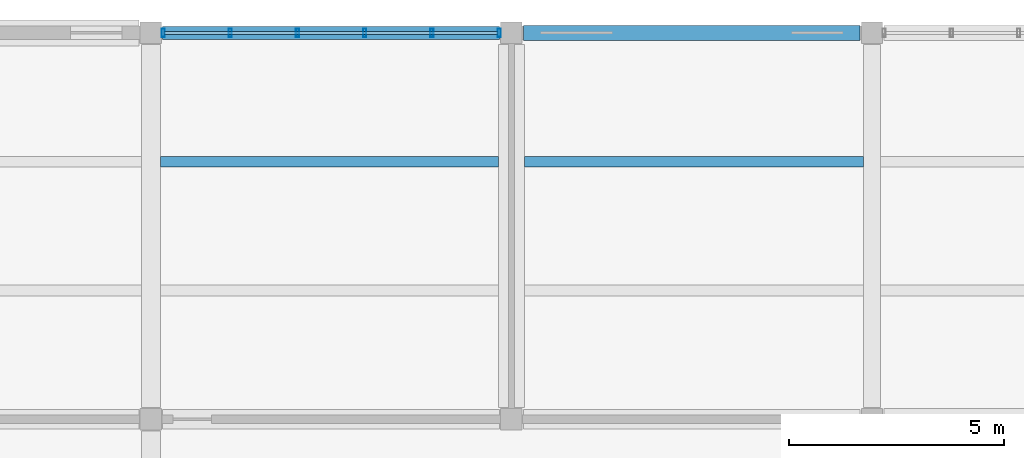
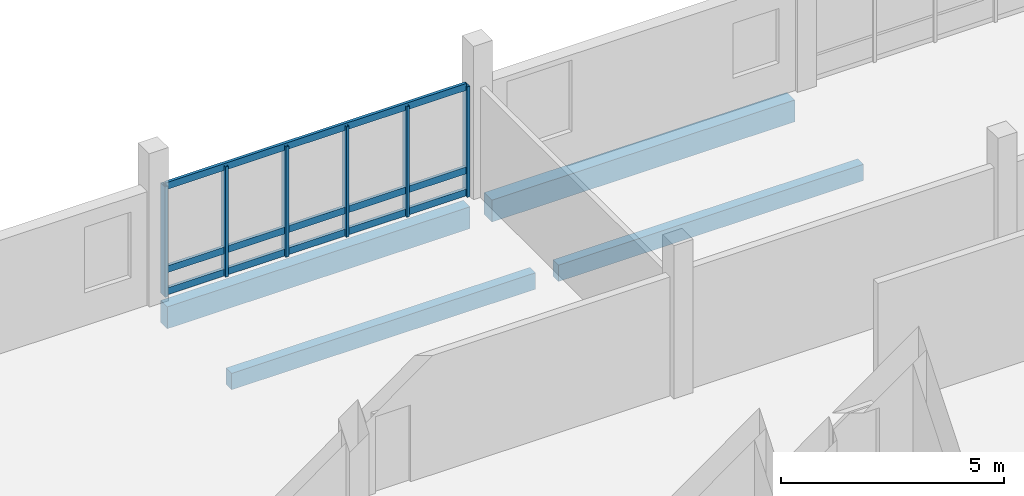
# One storey, part 41 of 107: 9 members, 4 beams, 1 element without a shape of its own.
"""IFC4 building model written with IfcOpenShell, lengths in metres."""

import ifcopenshell
import ifcopenshell.guid

model = None  # the IFC model being written
_history = None  # IfcOwnerHistory: only IFC2X3 demands one
_inside = {}  # id of a spatial element -> (the spatial element, [elements in it])
_under = {}  # id of a project, library or spatial element -> (it, [spatial elements below it])
_declared = {}  # id of a project -> (the project, [libraries it declares])
_typed = {}  # id of a type object -> (the type object, [elements of that type])
_made_of = {}  # id of a material, layer set ... -> (it, [elements and type objects made of it])


def new_model(schema):
    """Start an empty IFC model of exactly this schema.

    Asked for "IFC4X3", IfcOpenShell would pick the latest addendum, in which some entities
    have other attributes; the version numbers below select the first issue.
    IFC2X3 requires an IfcOwnerHistory on every rooted entity: one is made here for all.
    """
    global model, _history
    if schema == "IFC4X3":
        model = ifcopenshell.file(schema_version=(4, 3, 0, 0))
    else:
        model = ifcopenshell.file(schema=schema)
    _inside.clear()
    _under.clear()
    _declared.clear()
    _typed.clear()
    _made_of.clear()
    _history = None
    if model.schema == "IFC2X3":
        org = make("IfcOrganization", Name="unknown")
        user = make(
            "IfcPersonAndOrganization",
            ThePerson=make("IfcPerson", FamilyName="unknown"),
            TheOrganization=org,
        )
        app = make(
            "IfcApplication",
            ApplicationDeveloper=org,
            Version="unknown",
            ApplicationFullName="unknown",
            ApplicationIdentifier="unknown",
        )
        _history = make(
            "IfcOwnerHistory",
            OwningUser=user,
            OwningApplication=app,
            ChangeAction="ADDED",
            CreationDate=0,
        )
    return model


def make(cls, **values):
    """One entity of the class cls with the attributes given. An attribute that is None is left unset."""
    return model.create_entity(
        cls, **{name: value for name, value in values.items() if value is not None}
    )


def rooted(cls, **values):
    """An entity with a GlobalId (a new one), such as an element, a storey or a relation."""
    return make(cls, GlobalId=ifcopenshell.guid.new(), OwnerHistory=_history, **values)


def si_unit(unit_type, name, prefix=None):
    """IfcSIUnit, for example si_unit("LENGTHUNIT", "METRE", prefix="MILLI")."""
    return make("IfcSIUnit", UnitType=unit_type, Prefix=prefix, Name=name)


def assignment(units):
    """IfcUnitAssignment: the units of a project."""
    return None if units is None else make("IfcUnitAssignment", Units=units)


def point(xyz):
    """IfcCartesianPoint."""
    return None if xyz is None else make("IfcCartesianPoint", Coordinates=xyz)


def direction(xyz):
    """IfcDirection."""
    return None if xyz is None else make("IfcDirection", DirectionRatios=xyz)


def frame(location, z_axis=None, x_axis=None):
    """IfcAxis2Placement3D, a coordinate frame: its origin and axes. An axis left out is left unset."""
    return make(
        "IfcAxis2Placement3D",
        Location=point(location),
        Axis=direction(z_axis),
        RefDirection=direction(x_axis),
    )


def frame_2d(location, x_axis=None):
    """IfcAxis2Placement2D, a coordinate frame in the plane: its origin and x axis."""
    return make(
        "IfcAxis2Placement2D", Location=point(location), RefDirection=direction(x_axis)
    )


def origin():
    """The frame at (0, 0, 0) with its axes left unset."""
    return frame((0.0, 0.0, 0.0))


def origin_2d():
    """The frame at (0, 0) in the plane with its x axis left unset."""
    return frame_2d((0.0, 0.0))


def place(relative_to, where):
    """IfcLocalPlacement: puts the frame where relative to a parent placement (None: the world)."""
    return make(
        "IfcLocalPlacement", PlacementRelTo=relative_to, RelativePlacement=where
    )


def context(
    kind, dimensions, precision=None, world=None, true_north=None, identifier=None
):
    """IfcGeometricRepresentationContext, for example the 3D "Model" context."""
    return make(
        "IfcGeometricRepresentationContext",
        ContextIdentifier=identifier,
        ContextType=kind,
        CoordinateSpaceDimension=dimensions,
        Precision=precision,
        WorldCoordinateSystem=world,
        TrueNorth=true_north,
    )


def subcontext(parent, identifier, kind, view, scale=None):
    """IfcGeometricRepresentationSubContext, for example "Body" below "Model"."""
    return make(
        "IfcGeometricRepresentationSubContext",
        ContextIdentifier=identifier,
        ContextType=kind,
        ParentContext=parent,
        TargetScale=scale,
        TargetView=view,
    )


def project(units=None, contexts=None):
    """IfcProject with its units and contexts."""
    return rooted(
        "IfcProject",
        Name="project",
        RepresentationContexts=contexts,
        UnitsInContext=assignment(units),
    )


def spatial(cls, under=None, at=None, **own):
    """A site, building, storey or space (cls), placed at a placement, below another one or the project."""
    s = rooted(cls, ObjectPlacement=at, **own)
    if under is not None:
        _under.setdefault(under.id(), (under, []))[1].append(s)
    return s


def profile(cls, at=None, kind="AREA", **sizes):
    """A parametric profile (cls). Its sizes go by their IFC names, for example OverallWidth=200.0."""
    return make(cls, ProfileType=kind, Position=at, **sizes)


def rectangle(**sizes):
    """IfcRectangleProfileDef."""
    return profile("IfcRectangleProfileDef", **sizes)


def hollow_rectangle(**sizes):
    """IfcRectangleHollowProfileDef."""
    return profile("IfcRectangleHollowProfileDef", **sizes)


def extrude(swept, where, along, depth):
    """IfcExtrudedAreaSolid: the profile swept, set in the frame where, extruded along a direction by depth."""
    return make(
        "IfcExtrudedAreaSolid",
        SweptArea=swept,
        Position=where,
        ExtrudedDirection=direction(along),
        Depth=depth,
    )


def shape(context_of_items, identifier, shape_type, items):
    """IfcShapeRepresentation: the items that make up one representation, for example the "Body"."""
    return make(
        "IfcShapeRepresentation",
        ContextOfItems=context_of_items,
        RepresentationIdentifier=identifier,
        RepresentationType=shape_type,
        Items=items,
    )


def material(Name=None, Category=None):
    """IfcMaterial."""
    return make("IfcMaterial", Name=Name, Category=Category)


def layer(
    of_material, thickness, ventilated=None, Name=None, Category=None, Priority=None
):
    """IfcMaterialLayer: one layer of a wall or slab, of a material (None: an air gap)."""
    return make(
        "IfcMaterialLayer",
        Material=of_material,
        LayerThickness=thickness,
        IsVentilated=ventilated,
        Name=Name,
        Category=Category,
        Priority=Priority,
    )


def layer_set(layers, Name=None):
    """IfcMaterialLayerSet."""
    return make("IfcMaterialLayerSet", MaterialLayers=layers, LayerSetName=Name)


def material_profile(
    of_material, cross_section, Name=None, Category=None, Priority=None
):
    """IfcMaterialProfile: a cross section and its material."""
    return make(
        "IfcMaterialProfile",
        Name=Name,
        Material=of_material,
        Profile=cross_section,
        Priority=Priority,
        Category=Category,
    )


def profile_set(profiles, Name=None, composite=None):
    """IfcMaterialProfileSet."""
    return make(
        "IfcMaterialProfileSet",
        Name=Name,
        MaterialProfiles=profiles,
        CompositeProfile=composite,
    )


def made_of(thing, what):
    """Note that an element or type object is made of a material, layer set ...; save() writes the relation."""
    if what is not None:
        _made_of.setdefault(what.id(), (what, []))[1].append(thing)
    return thing


def type_object(cls, material=None, **own):
    """A type object (cls), such as IfcWallType, which elements share."""
    return made_of(rooted(cls, **own), material)


def element(
    cls,
    number,
    at=None,
    inside=None,
    cuts=None,
    type_object=None,
    material=None,
    context=None,
    identifier="Body",
    shape_type=None,
    held_by="IfcProductDefinitionShape",
    body=None,
    shapes=None,
    **own,
):
    """One element of the class cls, such as IfcWall. Its Tag is "e" and its number.

    at: its placement. inside: the storey or other place that contains it. cuts: it is an
    opening in that element (IfcRelVoidsElement). A single representation is given by context,
    identifier, shape_type and body (its items); several are given by shapes. held_by: the class
    of the entity that holds the representations. save() writes the other relations.
    """
    e = rooted(cls, Tag="e%d" % number, ObjectPlacement=at, **own)
    if body is not None:
        shapes = [shape(context, identifier, shape_type, body)]
    if shapes is not None:
        e.Representation = make(held_by, Representations=shapes)
    if inside is not None:
        _inside.setdefault(inside.id(), (inside, []))[1].append(e)
    if cuts is not None:
        rooted(
            "IfcRelVoidsElement", RelatingBuildingElement=cuts, RelatedOpeningElement=e
        )
    if type_object is not None:
        _typed.setdefault(type_object.id(), (type_object, []))[1].append(e)
    return made_of(e, material)


def aggregate(whole, parts):
    """IfcRelAggregates: a whole, such as a stair, and the parts it consists of."""
    return rooted("IfcRelAggregates", RelatingObject=whole, RelatedObjects=parts)


def save(model, path):
    """Write the relations noted so far, then the file.

    IfcRelAggregates (storeys below a building ...), IfcRelContainedInSpatialStructure (elements
    in a storey), IfcRelDefinesByType, IfcRelAssociatesMaterial and IfcRelDeclares: one each for
    every whole, place, type object, material and project.
    """
    for whole, parts in _under.values():
        aggregate(whole, parts)
    for where, things in _inside.values():
        rooted(
            "IfcRelContainedInSpatialStructure",
            RelatedElements=things,
            RelatingStructure=where,
        )
    for kind, things in _typed.values():
        rooted("IfcRelDefinesByType", RelatedObjects=things, RelatingType=kind)
    for what, things in _made_of.values():
        rooted("IfcRelAssociatesMaterial", RelatedObjects=things, RelatingMaterial=what)
    for by, libraries in _declared.values():
        rooted("IfcRelDeclares", RelatingContext=by, RelatedDefinitions=libraries)
    model.write(path)


model = new_model("IFC4")

# Units and contexts
model_context = context("Model", 3, precision=1e-05, world=origin(), true_north=direction((0.0, 1.0)))
body_context = subcontext(model_context, "Body", "Model", "MODEL_VIEW")
ifc_project = project(units=[si_unit("LENGTHUNIT", "METRE"), si_unit("AREAUNIT", "SQUARE_METRE"), si_unit("VOLUMEUNIT", "CUBIC_METRE"), si_unit("PLANEANGLEUNIT", "RADIAN"), si_unit("MASSUNIT", "GRAM", prefix="KILO")], contexts=[model_context])

# Site, building, storey
site_placement = place(None, origin())
site = spatial("IfcSite", under=ifc_project, at=site_placement, CompositionType="ELEMENT")
building_placement = place(site_placement, origin())
building = spatial("IfcBuilding", under=site, at=building_placement, Name="Vireocrest Preparatory School", CompositionType="ELEMENT")
storey_placement = place(building_placement, frame((0.0, 0.0, 13.199951171875)))
storey = spatial("IfcBuildingStorey", under=building, at=storey_placement, Name="L03", CompositionType="ELEMENT", Elevation=13.199951171875)

# Curtain wall, members
ifc_material_1 = material(Name="Thermally broken aluminium EN AW-6063-T6", Category="aluminium")
ifc_layer = layer(ifc_material_1, 0.179931640625)
ifc_layer_set = layer_set([ifc_layer], Name="Thermally broken aluminium EN AW-6063-T6")
curtain_wall_type = type_object("IfcCurtainWallType", Name="North Street Curtain Wall 8400x4000", PredefinedType="USERDEFINED", material=ifc_layer_set)
curtain_wall_placement = place(storey_placement, origin())
curtain_wall = element("IfcCurtainWall", 1, at=curtain_wall_placement, inside=storey, type_object=curtain_wall_type, Name="Curtain Wall CW05 CW_L03_CW05_0506_1128_132", ObjectType="CURTAIN WALL", PredefinedType="USERDEFINED")
ifc_material_profile_1 = material_profile(ifc_material_1, hollow_rectangle(XDim=0.074951171875, YDim=0.199951171875, WallThickness=0.0048828125, at=origin_2d()), Name="ALU 75x200x5")
ifc_profile_set_1 = profile_set([ifc_material_profile_1], Name="Thermally broken aluminium EN AW-6063-T6")
member_type_1 = type_object("IfcMemberType", Name="CW Mullion 75x200x5", PredefinedType="MULLION", material=ifc_profile_set_1)
member_1_placement = place(storey_placement, frame((50.68505859375, 112.800048828125, 0.0), z_axis=(0.0, 0.0, 1.0), x_axis=(1.0, 0.0, 0.0)))
member_1 = element("IfcMember", 2, at=member_1_placement, type_object=member_type_1, Name="CW Mullion ML3 CW_L03_CW05_0506_1128_132-1", PredefinedType="MULLION", context=body_context, shape_type="SweptSolid", body=[
    extrude(hollow_rectangle(XDim=0.074951171875, YDim=0.199951171875, WallThickness=0.0048828125, at=origin_2d()), origin(), (0.0, 0.0, 1.0), 3.025146484375),
])
member_2_placement = place(storey_placement, frame((52.2509765625, 112.800048828125, 0.0), z_axis=(0.0, 0.0, 1.0), x_axis=(1.0, 0.0, 0.0)))
member_2 = element("IfcMember", 3, at=member_2_placement, type_object=member_type_1, Name="CW Mullion ML3 CW_L03_CW05_0506_1128_132-2", PredefinedType="MULLION", context=body_context, shape_type="SweptSolid", body=[
    extrude(hollow_rectangle(XDim=0.074951171875, YDim=0.199951171875, WallThickness=0.0048828125, at=origin_2d()), origin(), (0.0, 0.0, 1.0), 3.025146484375),
])
member_3_placement = place(storey_placement, frame((53.81689453125, 112.800048828125, 0.0), z_axis=(0.0, 0.0, 1.0), x_axis=(1.0, 0.0, 0.0)))
member_3 = element("IfcMember", 4, at=member_3_placement, type_object=member_type_1, Name="CW Mullion ML3 CW_L03_CW05_0506_1128_132-3", PredefinedType="MULLION", context=body_context, shape_type="SweptSolid", body=[
    extrude(hollow_rectangle(XDim=0.074951171875, YDim=0.199951171875, WallThickness=0.0048828125, at=origin_2d()), origin(), (0.0, 0.0, 1.0), 3.025146484375),
])
member_4_placement = place(storey_placement, frame((55.383056640625, 112.800048828125, 0.0), z_axis=(0.0, 0.0, 1.0), x_axis=(1.0, 0.0, 0.0)))
member_4 = element("IfcMember", 5, at=member_4_placement, type_object=member_type_1, Name="CW Mullion ML3 CW_L03_CW05_0506_1128_132-4", PredefinedType="MULLION", context=body_context, shape_type="SweptSolid", body=[
    extrude(hollow_rectangle(XDim=0.074951171875, YDim=0.199951171875, WallThickness=0.0048828125, at=origin_2d()), origin(), (0.0, 0.0, 1.0), 3.025146484375),
])
member_5_placement = place(storey_placement, frame((56.948974609375, 112.800048828125, 0.0), z_axis=(0.0, 0.0, 1.0), x_axis=(1.0, 0.0, 0.0)))
member_5 = element("IfcMember", 6, at=member_5_placement, type_object=member_type_1, Name="CW Mullion ML3 CW_L03_CW05_0506_1128_132-5", PredefinedType="MULLION", context=body_context, shape_type="SweptSolid", body=[
    extrude(hollow_rectangle(XDim=0.074951171875, YDim=0.199951171875, WallThickness=0.0048828125, at=origin_2d()), origin(), (0.0, 0.0, 1.0), 3.025146484375),
])
member_6_placement = place(storey_placement, frame((58.514892578125, 112.800048828125, 0.0), z_axis=(0.0, 0.0, 1.0), x_axis=(1.0, 0.0, 0.0)))
member_6 = element("IfcMember", 7, at=member_6_placement, type_object=member_type_1, Name="CW Mullion ML3 CW_L03_CW05_0506_1128_132-6", PredefinedType="MULLION", context=body_context, shape_type="SweptSolid", body=[
    extrude(hollow_rectangle(XDim=0.074951171875, YDim=0.199951171875, WallThickness=0.0048828125, at=origin_2d()), origin(), (0.0, 0.0, 1.0), 3.025146484375),
])
ifc_material_profile_2 = material_profile(ifc_material_1, hollow_rectangle(XDim=0.074951171875, YDim=0.18994140625, WallThickness=0.00390625, at=origin_2d()), Name="ALU 75x190x4")
ifc_profile_set_2 = profile_set([ifc_material_profile_2], Name="Thermally broken aluminium EN AW-6063-T6")
member_type_2 = type_object("IfcMemberType", Name="CW Transom 75x190x4", PredefinedType="USERDEFINED", material=ifc_profile_set_2)
member_7_placement = place(storey_placement, frame((50.7099609375, 112.800048828125, 0.094970703125), z_axis=(1.0, 0.0, 0.0), x_axis=(0.0, 1.0, 0.0)))
member_7 = element("IfcMember", 8, at=member_7_placement, type_object=member_type_2, Name="CW Transom TR3 CW_L03_CW05_0506_1128_132-1", ObjectType="TRANSOM", PredefinedType="USERDEFINED", context=body_context, shape_type="SweptSolid", body=[
    extrude(hollow_rectangle(XDim=0.074951171875, YDim=0.18994140625, WallThickness=0.00390625, at=origin_2d()), origin(), (0.0, 0.0, 1.0), 7.780029296875),
])
member_8_placement = place(storey_placement, frame((50.7099609375, 112.800048828125, 0.699951171875), z_axis=(1.0, 0.0, 0.0), x_axis=(0.0, 1.0, 0.0)))
member_8 = element("IfcMember", 9, at=member_8_placement, type_object=member_type_2, Name="CW Transom TR3 CW_L03_CW05_0506_1128_132-2", ObjectType="TRANSOM", PredefinedType="USERDEFINED", context=body_context, shape_type="SweptSolid", body=[
    extrude(hollow_rectangle(XDim=0.074951171875, YDim=0.18994140625, WallThickness=0.00390625, at=origin_2d()), origin(), (0.0, 0.0, 1.0), 7.780029296875),
])
member_9_placement = place(storey_placement, frame((50.7099609375, 112.800048828125, 2.985107421875), z_axis=(1.0, 0.0, 0.0), x_axis=(0.0, 1.0, 0.0)))
member_9 = element("IfcMember", 10, at=member_9_placement, type_object=member_type_2, Name="CW Transom TR3 CW_L03_CW05_0506_1128_132-3", ObjectType="TRANSOM", PredefinedType="USERDEFINED", context=body_context, shape_type="SweptSolid", body=[
    extrude(hollow_rectangle(XDim=0.074951171875, YDim=0.18994140625, WallThickness=0.00390625, at=origin_2d()), origin(), (0.0, 0.0, 1.0), 7.780029296875),
])
aggregate(curtain_wall, [member_1, member_2, member_3, member_4, member_5, member_6, member_7, member_8, member_9])

# Beams
ifc_material_2 = material(Name="Concrete 40 MPa", Category="concrete")
ifc_material_profile_3 = material_profile(ifc_material_2, rectangle(XDim=0.300048828125, YDim=0.60009765625, at=origin_2d()), Name="RC 300x600")
ifc_profile_set_3 = profile_set([ifc_material_profile_3], Name="Concrete 40 MPa")
beam_type_1 = type_object("IfcBeamType", Name="RC Classroom Beam 300x600", PredefinedType="BEAM", material=ifc_profile_set_3)
beam_1_placement = place(storey_placement, frame((50.675048828125, 112.800048828125, -0.5400390625), z_axis=(1.0, 0.0, 0.0), x_axis=(0.0, 1.0, 0.0)))
element("IfcBeam", 11, at=beam_1_placement, inside=storey, type_object=beam_type_1, Name="Primary Girder B03 L03-1099", PredefinedType="BEAM", context=body_context, shape_type="SweptSolid", body=[
    extrude(rectangle(XDim=0.300048828125, YDim=0.60009765625, at=origin_2d()), origin(), (0.0, 0.0, 1.0), 7.849853515625),
])
ifc_material_profile_4 = material_profile(ifc_material_2, rectangle(XDim=0.35009765625, YDim=0.60009765625, at=origin_2d()), Name="RC 350x600")
ifc_profile_set_4 = profile_set([ifc_material_profile_4], Name="Concrete 40 MPa")
beam_type_2 = type_object("IfcBeamType", Name="RC Classroom Girder 350x600", PredefinedType="BEAM", material=ifc_profile_set_4)
beam_2_placement = place(storey_placement, frame((59.074951171875, 112.800048828125, -0.5400390625), z_axis=(1.0, 0.0, 0.0), x_axis=(0.0, 1.0, 0.0)))
element("IfcBeam", 12, at=beam_2_placement, inside=storey, type_object=beam_type_2, Name="Primary Girder B04 L03-1100", PredefinedType="BEAM", context=body_context, shape_type="SweptSolid", body=[
    extrude(rectangle(XDim=0.35009765625, YDim=0.60009765625, at=origin_2d()), origin(), (0.0, 0.0, 1.0), 7.85009765625),
])
ifc_material_profile_5 = material_profile(ifc_material_2, rectangle(XDim=0.25, YDim=0.449951171875, at=origin_2d()), Name="RC 250x450")
ifc_profile_set_5 = profile_set([ifc_material_profile_5], Name="Concrete 40 MPa")
beam_type_3 = type_object("IfcBeamType", Name="RC Secondary Floor Joist 250x450", PredefinedType="JOIST", material=ifc_profile_set_5)
beam_3_placement = place(storey_placement, frame((50.625, 109.800048828125, -0.46484375), z_axis=(1.0, 0.0, 0.0), x_axis=(0.0, 1.0, 0.0)))
element("IfcBeam", 13, at=beam_3_placement, inside=storey, type_object=beam_type_3, Name="Secondary Joist J01 L03-1210", PredefinedType="JOIST", context=body_context, shape_type="SweptSolid", body=[
    extrude(rectangle(XDim=0.25, YDim=0.449951171875, at=origin_2d()), origin(), (0.0, 0.0, 1.0), 7.875),
])
beam_4_placement = place(storey_placement, frame((59.10009765625, 109.800048828125, -0.46484375), z_axis=(1.0, 0.0, 0.0), x_axis=(0.0, 1.0, 0.0)))
element("IfcBeam", 14, at=beam_4_placement, inside=storey, type_object=beam_type_3, Name="Secondary Joist J01 L03-1224", PredefinedType="JOIST", context=body_context, shape_type="SweptSolid", body=[
    extrude(rectangle(XDim=0.25, YDim=0.449951171875, at=origin_2d()), origin(), (0.0, 0.0, 1.0), 7.89990234375),
])

save(model, "model.ifc")
